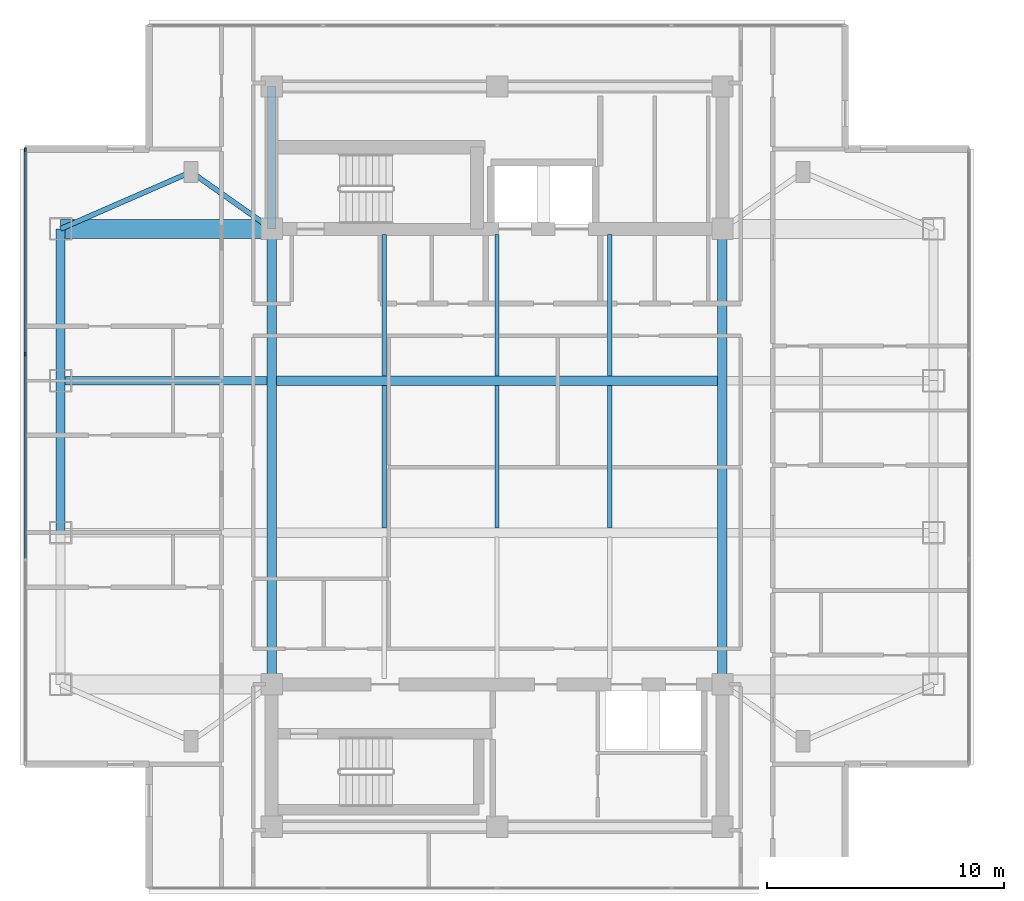
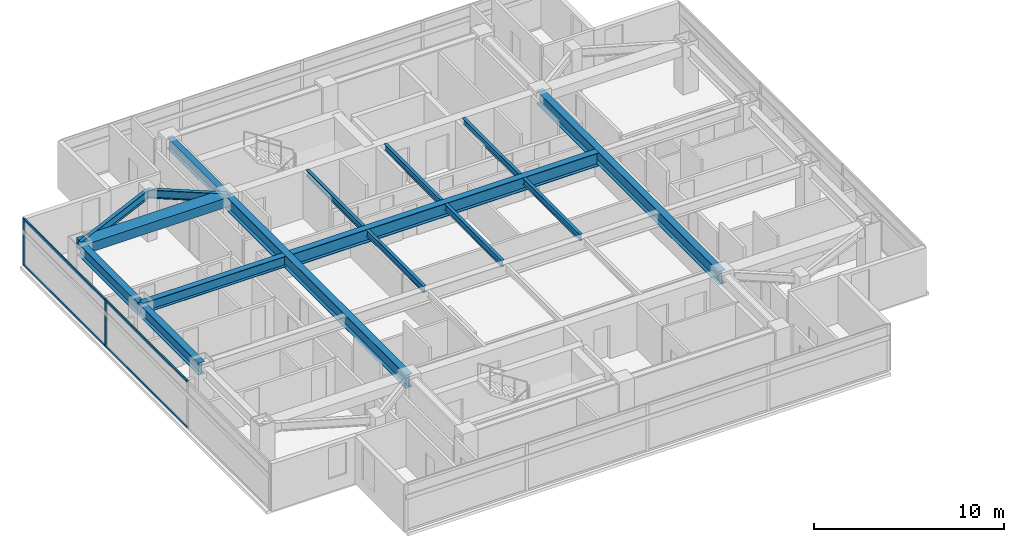
# One storey, part 3 of 24: 16 beams, 6 members, 1 element without a shape of its own.
"""IFC4 building model written with IfcOpenShell, lengths in metres."""

from ifc_helpers import new_model, si_unit, direction, frame, origin, origin_2d, place, context, subcontext, project, spatial, rectangle, i_section, extrude, material, material_profile, profile_set, type_object, element, aggregate, save


model = new_model("IFC4")

# Units and contexts
model_context = context("Model", 3, precision=1e-05, world=origin(), true_north=direction((0.0, 1.0)))
body_context = subcontext(model_context, "Body", "Model", "MODEL_VIEW")
ifc_project = project(units=[si_unit("LENGTHUNIT", "METRE"), si_unit("AREAUNIT", "SQUARE_METRE"), si_unit("VOLUMEUNIT", "CUBIC_METRE"), si_unit("PLANEANGLEUNIT", "RADIAN"), si_unit("MASSUNIT", "GRAM", prefix="KILO")], contexts=[model_context])

# Site, building, storey
site_placement = place(None, origin())
site = spatial("IfcSite", under=ifc_project, at=site_placement, CompositionType="ELEMENT")
building_placement = place(site_placement, origin())
building = spatial("IfcBuilding", under=site, at=building_placement, Name="Mirazonda Arch Towers", CompositionType="ELEMENT")
storey_placement = place(building_placement, frame((0.0, 0.0, 190.14990234375)))
storey = spatial("IfcBuildingStorey", under=building, at=storey_placement, Name="L54", CompositionType="ELEMENT", Elevation=190.14990234375)

# Beams
ifc_material_1 = material(Name="Steel ASTM A992 Grade 50", Category="steel")
ifc_material_profile_1 = material_profile(ifc_material_1, i_section(OverallWidth=0.381103515625, OverallDepth=0.77294921875, WebThickness=0.0166015625, FlangeThickness=0.027099609375, at=origin_2d()), Name="W30X173")
ifc_profile_set_1 = profile_set([ifc_material_profile_1], Name="Steel ASTM A992 Grade 50")
beam_type_1 = type_object("IfcBeamType", Name="BM-EXT-W30X173", PredefinedType="USERDEFINED", material=ifc_profile_set_1)
beam_1_placement = place(storey_placement, frame((2.10009765625, 24.800048828125, 2.66357421875), z_axis=(0.0, 1.0, 0.0), x_axis=(-1.0, 0.0, 0.0)))
element("IfcBeam", 1, at=beam_1_placement, inside=storey, type_object=beam_type_1, Name="L54 Floor Beam BM-T1-L54-NS-W-24", ObjectType="GIRDER", PredefinedType="USERDEFINED", context=body_context, shape_type="SweptSolid", body=[
    extrude(i_section(OverallWidth=0.381103515625, OverallDepth=0.77294921875, WebThickness=0.0166015625, FlangeThickness=0.027099609375, at=origin_2d()), origin(), (0.0, 0.0, 1.0), 6.39990234375),
])
beam_2_placement = place(storey_placement, frame((2.10009765625, 31.199951171875, 2.66357421875), z_axis=(0.0, 1.0, 0.0), x_axis=(-1.0, 0.0, 0.0)))
element("IfcBeam", 2, at=beam_2_placement, inside=storey, type_object=beam_type_1, Name="L54 Floor Beam BM-T1-L54-NS-W-31", ObjectType="GIRDER", PredefinedType="USERDEFINED", context=body_context, shape_type="SweptSolid", body=[
    extrude(i_section(OverallWidth=0.381103515625, OverallDepth=0.77294921875, WebThickness=0.0166015625, FlangeThickness=0.027099609375, at=origin_2d()), origin(), (0.0, 0.0, 1.0), 6.400146484375),
])
ifc_material_profile_2 = material_profile(ifc_material_1, i_section(OverallWidth=0.180908203125, OverallDepth=0.4169921875, WebThickness=0.010986328125, FlangeThickness=0.018310546875, at=origin_2d()), Name="W16X57")
ifc_profile_set_2 = profile_set([ifc_material_profile_2], Name="Steel ASTM A992 Grade 50")
beam_type_2 = type_object("IfcBeamType", Name="BM-INT-W16X57", PredefinedType="JOIST", material=ifc_profile_set_2)
beam_3_placement = place(storey_placement, frame((15.75, 31.39599609375, 2.841552734375), z_axis=(0.0, 1.0, 0.0), x_axis=(-1.0, 0.0, 0.0)))
element("IfcBeam", 3, at=beam_3_placement, inside=storey, type_object=beam_type_2, Name="L54 Floor Beam BM-T1-L54-J-157-31", PredefinedType="JOIST", context=body_context, shape_type="SweptSolid", body=[
    extrude(i_section(OverallWidth=0.180908203125, OverallDepth=0.4169921875, WebThickness=0.010986328125, FlangeThickness=0.018310546875, at=origin_2d()), origin(), (0.0, 0.0, 1.0), 5.964111328125),
])
beam_4_placement = place(storey_placement, frame((15.75, 24.99609375, 2.841552734375), z_axis=(0.0, 1.0, 0.0), x_axis=(-1.0, 0.0, 0.0)))
element("IfcBeam", 4, at=beam_4_placement, inside=storey, type_object=beam_type_2, Name="L54 Floor Beam BM-T1-L54-J-157-24", PredefinedType="JOIST", context=body_context, shape_type="SweptSolid", body=[
    extrude(i_section(OverallWidth=0.180908203125, OverallDepth=0.4169921875, WebThickness=0.010986328125, FlangeThickness=0.018310546875, at=origin_2d()), origin(), (0.0, 0.0, 1.0), 6.0078125),
])
beam_5_placement = place(storey_placement, frame((20.5, 31.39599609375, 2.841552734375), z_axis=(0.0, 1.0, 0.0), x_axis=(-1.0, 0.0, 0.0)))
element("IfcBeam", 5, at=beam_5_placement, inside=storey, type_object=beam_type_2, Name="L54 Floor Beam BM-T1-L54-J-205-31", PredefinedType="JOIST", context=body_context, shape_type="SweptSolid", body=[
    extrude(i_section(OverallWidth=0.180908203125, OverallDepth=0.4169921875, WebThickness=0.010986328125, FlangeThickness=0.018310546875, at=origin_2d()), origin(), (0.0, 0.0, 1.0), 5.964111328125),
])
beam_6_placement = place(storey_placement, frame((20.5, 24.99609375, 2.841552734375), z_axis=(0.0, 1.0, 0.0), x_axis=(-1.0, 0.0, 0.0)))
element("IfcBeam", 6, at=beam_6_placement, inside=storey, type_object=beam_type_2, Name="L54 Floor Beam BM-T1-L54-J-205-24", PredefinedType="JOIST", context=body_context, shape_type="SweptSolid", body=[
    extrude(i_section(OverallWidth=0.180908203125, OverallDepth=0.4169921875, WebThickness=0.010986328125, FlangeThickness=0.018310546875, at=origin_2d()), origin(), (0.0, 0.0, 1.0), 6.0078125),
])
beam_7_placement = place(storey_placement, frame((25.25, 31.39599609375, 2.841552734375), z_axis=(0.0, 1.0, 0.0), x_axis=(-1.0, 0.0, 0.0)))
element("IfcBeam", 7, at=beam_7_placement, inside=storey, type_object=beam_type_2, Name="L54 Floor Beam BM-T1-L54-J-252-31", PredefinedType="JOIST", context=body_context, shape_type="SweptSolid", body=[
    extrude(i_section(OverallWidth=0.180908203125, OverallDepth=0.4169921875, WebThickness=0.010986328125, FlangeThickness=0.018310546875, at=origin_2d()), origin(), (0.0, 0.0, 1.0), 5.964111328125),
])
beam_8_placement = place(storey_placement, frame((25.25, 24.99609375, 2.841552734375), z_axis=(0.0, 1.0, 0.0), x_axis=(-1.0, 0.0, 0.0)))
element("IfcBeam", 8, at=beam_8_placement, inside=storey, type_object=beam_type_2, Name="L54 Floor Beam BM-T1-L54-J-252-24", PredefinedType="JOIST", context=body_context, shape_type="SweptSolid", body=[
    extrude(i_section(OverallWidth=0.180908203125, OverallDepth=0.4169921875, WebThickness=0.010986328125, FlangeThickness=0.018310546875, at=origin_2d()), origin(), (0.0, 0.0, 1.0), 6.0078125),
])
ifc_material_profile_3 = material_profile(ifc_material_1, i_section(OverallWidth=0.214111328125, OverallDepth=0.549072265625, WebThickness=0.0146484375, FlangeThickness=0.023681640625, at=origin_2d()), Name="W21X93")
ifc_profile_set_3 = profile_set([ifc_material_profile_3], Name="Steel ASTM A992 Grade 50")
beam_type_3 = type_object("IfcBeamType", Name="BM-INT-W21X93", PredefinedType="BEAM", material=ifc_profile_set_3)
beam_9_placement = place(storey_placement, frame((7.60009765625, 40.0, 2.775634765625), z_axis=(0.816971114901, -0.576678591087, 0.0), x_axis=(0.576678591087, 0.816971114901, 0.0)))
element("IfcBeam", 9, at=beam_9_placement, inside=storey, type_object=beam_type_3, Name="L54 Floor Beam BM-T1-L54-PL-NW1", PredefinedType="BEAM", context=body_context, shape_type="SweptSolid", body=[
    extrude(i_section(OverallWidth=0.214111328125, OverallDepth=0.549072265625, WebThickness=0.0146484375, FlangeThickness=0.023681640625, at=origin_2d()), origin(), (0.0, 0.0, 1.0), 4.16162109375),
])
beam_10_placement = place(storey_placement, frame((7.60009765625, 40.0, 2.775634765625), z_axis=(-0.916545343703, -0.399930785183, 0.0), x_axis=(0.399930785183, -0.916545343703, 0.0)))
element("IfcBeam", 10, at=beam_10_placement, inside=storey, type_object=beam_type_3, Name="L54 Floor Beam BM-T1-L54-PL-NW2", PredefinedType="BEAM", context=body_context, shape_type="SweptSolid", body=[
    extrude(i_section(OverallWidth=0.214111328125, OverallDepth=0.549072265625, WebThickness=0.0146484375, FlangeThickness=0.023681640625, at=origin_2d()), origin(), (0.0, 0.0, 1.0), 6.000732421875),
])
ifc_material_profile_4 = material_profile(ifc_material_1, i_section(OverallWidth=0.35498046875, OverallDepth=0.696044921875, WebThickness=0.015380859375, FlangeThickness=0.02490234375, at=origin_2d()), Name="W27X146")
ifc_profile_set_4 = profile_set([ifc_material_profile_4], Name="Steel ASTM A992 Grade 50")
beam_type_4 = type_object("IfcBeamType", Name="BM-INT-W27X146", PredefinedType="BEAM", material=ifc_profile_set_4)
beam_11_placement = place(storey_placement, frame((2.10009765625, 31.199951171875, 2.7021484375), z_axis=(1.0, 0.0, 0.0), x_axis=(0.0, 1.0, 0.0)))
element("IfcBeam", 11, at=beam_11_placement, inside=storey, type_object=beam_type_4, Name="L54 Floor Beam BM-T1-L54-GW3", PredefinedType="BEAM", context=body_context, shape_type="SweptSolid", body=[
    extrude(i_section(OverallWidth=0.35498046875, OverallDepth=0.696044921875, WebThickness=0.015380859375, FlangeThickness=0.02490234375, at=origin_2d()), origin(), (0.0, 0.0, 1.0), 8.699951171875),
])
beam_12_placement = place(storey_placement, frame((11.0, 37.60009765625, 2.7021484375), z_axis=(0.0, 1.0, 0.0), x_axis=(-1.0, 0.0, 0.0)))
element("IfcBeam", 12, at=beam_12_placement, inside=storey, type_object=beam_type_4, Name="L54 Floor Beam BM-T1-L54-CNW", PredefinedType="BEAM", context=body_context, shape_type="SweptSolid", body=[
    extrude(i_section(OverallWidth=0.35498046875, OverallDepth=0.696044921875, WebThickness=0.015380859375, FlangeThickness=0.02490234375, at=origin_2d()), origin(), (0.0, 0.0, 1.0), 6.0),
])
ifc_material_profile_5 = material_profile(ifc_material_1, i_section(OverallWidth=0.39990234375, OverallDepth=0.85595703125, WebThickness=0.018310546875, FlangeThickness=0.029296875, at=origin_2d()), Name="W33X201")
ifc_profile_set_5 = profile_set([ifc_material_profile_5], Name="Steel ASTM A992 Grade 50")
beam_type_5 = type_object("IfcBeamType", Name="BM-INT-W33X201", PredefinedType="USERDEFINED", material=ifc_profile_set_5)
beam_13_placement = place(storey_placement, frame((11.199951171875, 31.199951171875, 2.6220703125), z_axis=(1.0, 0.0, 0.0), x_axis=(0.0, 1.0, 0.0)))
element("IfcBeam", 13, at=beam_13_placement, inside=storey, type_object=beam_type_5, Name="L54 Floor Beam BM-T1-L54-GC3", ObjectType="GIRDER", PredefinedType="USERDEFINED", context=body_context, shape_type="SweptSolid", body=[
    extrude(i_section(OverallWidth=0.39990234375, OverallDepth=0.85595703125, WebThickness=0.018310546875, FlangeThickness=0.029296875, at=origin_2d()), origin(), (0.0, 0.0, 1.0), 18.60009765625),
])
for number, where, z_axis, x_axis, name in (
    (14, (11.0, 18.39990234375, 2.6220703125), (0.0, 1.0, 0.0), (-1.0, 0.0, 0.0), "L54 Floor Beam BM-T1-L54-NS-CW-FULL"),
    (15, (30.0, 18.39990234375, 2.6220703125), (0.0, 1.0, 0.0), (-1.0, 0.0, 0.0), "L54 Floor Beam BM-T1-L54-NS-CE-FULL"),
):
    element("IfcBeam", number, at=place(storey_placement, frame(where, z_axis=z_axis, x_axis=x_axis)), inside=storey, type_object=beam_type_5, Name=name, ObjectType="GIRDER", PredefinedType="USERDEFINED", context=body_context, shape_type="SweptSolid", body=[
        extrude(i_section(OverallWidth=0.39990234375, OverallDepth=0.85595703125, WebThickness=0.018310546875, FlangeThickness=0.029296875, at=origin_2d()), origin(), (0.0, 0.0, 1.0), 19.2001953125),
    ])
ifc_material_2 = material(Name="Concrete C60/75", Category="concrete")
ifc_material_profile_6 = material_profile(ifc_material_2, rectangle(XDim=0.800048828125, YDim=0.60009765625, at=origin_2d()), Name="RCCB800x600")
ifc_profile_set_6 = profile_set([ifc_material_profile_6], Name="Concrete C60/75")
beam_type_6 = type_object("IfcBeamType", Name="CB-INT-RCCB800x600", PredefinedType="SPANDREL", material=ifc_profile_set_6)
beam_14_placement = place(storey_placement, frame((2.10009765625, 37.60009765625, 2.75), z_axis=(1.0, 0.0, 0.0), x_axis=(0.0, 1.0, 0.0)))
element("IfcBeam", 16, at=beam_14_placement, inside=storey, type_object=beam_type_6, Name="L54 Floor Beam CBC-T1-L54-NW", PredefinedType="SPANDREL", context=body_context, shape_type="SweptSolid", body=[
    extrude(rectangle(XDim=0.800048828125, YDim=0.60009765625, at=origin_2d()), origin(), (0.0, 0.0, 1.0), 8.89990234375),
])

# Curtain wall, members
ifc_material_3 = material(Name="Anodised Aluminium and Low-E Glass", Category="aluminium")
curtain_wall_type = type_object("IfcCurtainWallType", Name="CW-RES-UNIT", PredefinedType="NOTDEFINED", material=ifc_material_3)
curtain_wall_placement = place(storey_placement, origin())
curtain_wall = element("IfcCurtainWall", 17, at=curtain_wall_placement, inside=storey, type_object=curtain_wall_type, Name="L54 T1 W Facade CW-L54-T1-W", PredefinedType="NOTDEFINED")
ifc_material_4 = material(Name="Anodised Aluminium Alloy", Category="aluminium")
ifc_material_profile_7 = material_profile(ifc_material_4, rectangle(XDim=0.074951171875, YDim=0.175048828125, at=origin_2d()), Name="ALU-MULL-75x175")
ifc_profile_set_7 = profile_set([ifc_material_profile_7], Name="Anodised Aluminium Alloy")
member_type_1 = type_object("IfcMemberType", Name="MULL-CW-RES-UNIT", PredefinedType="MULLION", material=ifc_profile_set_7)
member_1_placement = place(storey_placement, frame((0.610107421875, 40.93359375, 0.0), z_axis=(0.0, 0.0, 1.0), x_axis=(1.0, 0.0, 0.0)))
member_1 = element("IfcMember", 18, at=member_1_placement, type_object=member_type_1, Name="CW-104 mullion 1", PredefinedType="MULLION", context=body_context, shape_type="SweptSolid", body=[
    extrude(rectangle(XDim=0.074951171875, YDim=0.175048828125, at=origin_2d()), origin(), (0.0, 0.0, 1.0), 3.030029296875),
])
member_2_placement = place(storey_placement, frame((0.610107421875, 32.32373046875, 0.0), z_axis=(0.0, 0.0, 1.0), x_axis=(1.0, 0.0, 0.0)))
member_2 = element("IfcMember", 19, at=member_2_placement, type_object=member_type_1, Name="CW-104 mullion 2", PredefinedType="MULLION", context=body_context, shape_type="SweptSolid", body=[
    extrude(rectangle(XDim=0.074951171875, YDim=0.175048828125, at=origin_2d()), origin(), (0.0, 0.0, 1.0), 3.030029296875),
])
ifc_material_profile_8 = material_profile(ifc_material_4, rectangle(XDim=0.074951171875, YDim=0.155029296875, at=origin_2d()), Name="ALU-TRAN-75x155")
ifc_profile_set_8 = profile_set([ifc_material_profile_8], Name="Anodised Aluminium Alloy")
member_type_2 = type_object("IfcMemberType", Name="TRAN-CW-RES-UNIT", PredefinedType="USERDEFINED", material=ifc_profile_set_8)
member_3_placement = place(storey_placement, frame((0.610107421875, 40.89599609375, 0.03759765625), z_axis=(0.0, -1.0, 0.0), x_axis=(1.0, 0.0, 0.0)))
member_3 = element("IfcMember", 20, at=member_3_placement, type_object=member_type_2, Name="CW-104 transom 1.1", ObjectType="TRANSOM", PredefinedType="USERDEFINED", context=body_context, shape_type="SweptSolid", body=[
    extrude(rectangle(XDim=0.074951171875, YDim=0.155029296875, at=origin_2d()), origin(), (0.0, 0.0, 1.0), 8.534912109375),
])
member_4_placement = place(storey_placement, frame((0.610107421875, 40.89599609375, 2.99267578125), z_axis=(0.0, -1.0, 0.0), x_axis=(1.0, 0.0, 0.0)))
member_4 = element("IfcMember", 21, at=member_4_placement, type_object=member_type_2, Name="CW-104 transom 1.2", ObjectType="TRANSOM", PredefinedType="USERDEFINED", context=body_context, shape_type="SweptSolid", body=[
    extrude(rectangle(XDim=0.074951171875, YDim=0.155029296875, at=origin_2d()), origin(), (0.0, 0.0, 1.0), 8.534912109375),
])
member_5_placement = place(storey_placement, frame((0.610107421875, 32.2861328125, 0.03759765625), z_axis=(0.0, -1.0, 0.0), x_axis=(1.0, 0.0, 0.0)))
member_5 = element("IfcMember", 22, at=member_5_placement, type_object=member_type_2, Name="CW-104 transom 2.1", ObjectType="TRANSOM", PredefinedType="USERDEFINED", context=body_context, shape_type="SweptSolid", body=[
    extrude(rectangle(XDim=0.074951171875, YDim=0.155029296875, at=origin_2d()), origin(), (0.0, 0.0, 1.0), 8.572265625),
])
member_6_placement = place(storey_placement, frame((0.610107421875, 32.2861328125, 2.99267578125), z_axis=(0.0, -1.0, 0.0), x_axis=(1.0, 0.0, 0.0)))
member_6 = element("IfcMember", 23, at=member_6_placement, type_object=member_type_2, Name="CW-104 transom 2.2", ObjectType="TRANSOM", PredefinedType="USERDEFINED", context=body_context, shape_type="SweptSolid", body=[
    extrude(rectangle(XDim=0.074951171875, YDim=0.155029296875, at=origin_2d()), origin(), (0.0, 0.0, 1.0), 8.572265625),
])
aggregate(curtain_wall, [member_1, member_2, member_3, member_4, member_5, member_6])

save(model, "model.ifc")
